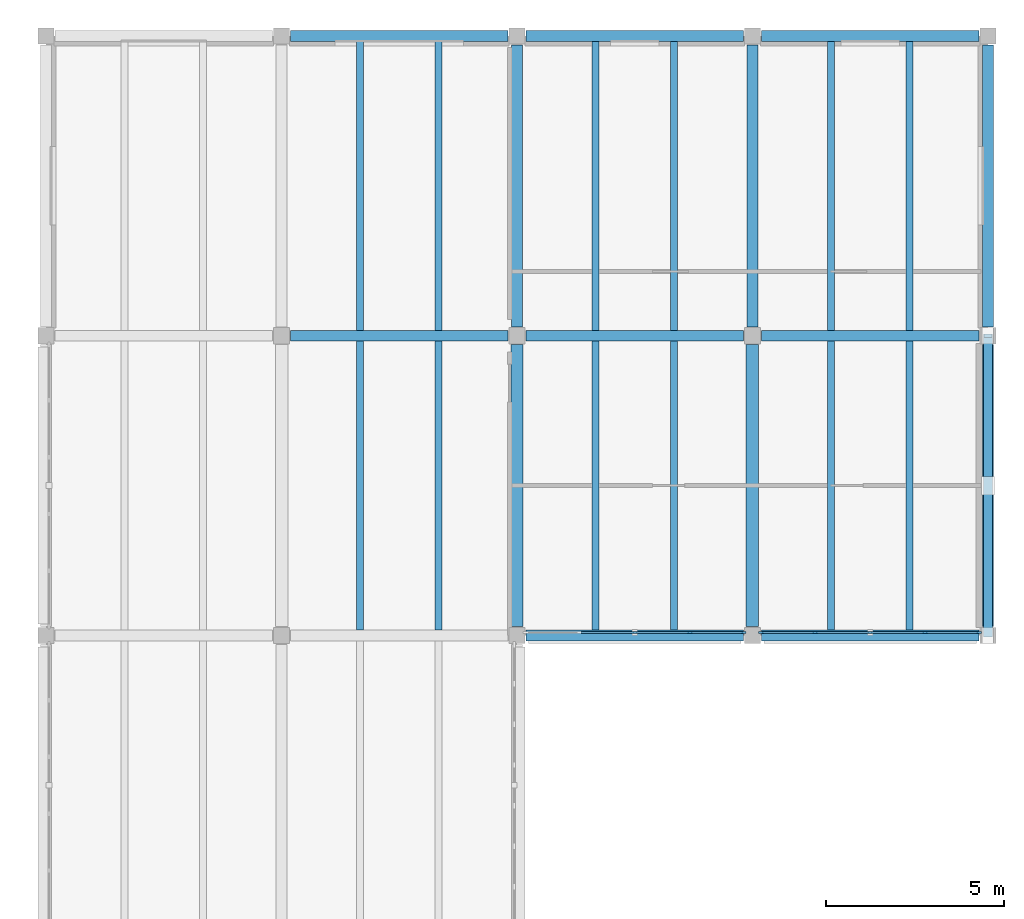
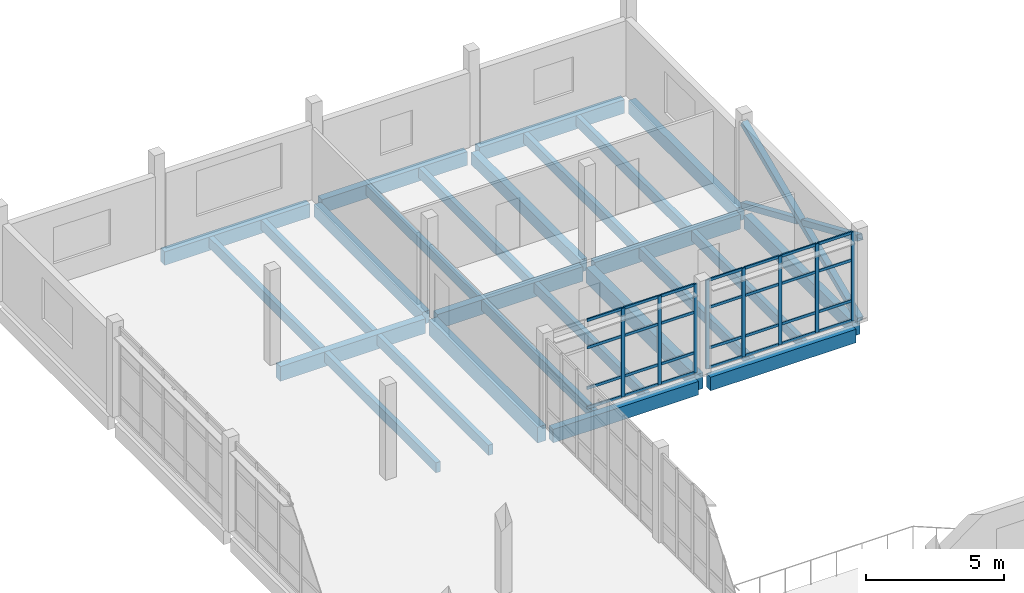
# One storey, part 32 of 74: 39 members, 26 beams, 2 elements without a shape of their own.
"""IFC4 building model written with IfcOpenShell, lengths in metres."""

from ifc_helpers import new_model, si_unit, direction, frame, origin, origin_2d, place, context, subcontext, project, spatial, rectangle, hollow_rectangle, extrude, material, material_profile, profile_set, type_object, element, aggregate, save


model = new_model("IFC4")

# Units and contexts
model_context = context("Model", 3, precision=1e-05, world=origin(), true_north=direction((0.0, 1.0)))
body_context = subcontext(model_context, "Body", "Model", "MODEL_VIEW")
ifc_project = project(units=[si_unit("LENGTHUNIT", "METRE"), si_unit("AREAUNIT", "SQUARE_METRE"), si_unit("VOLUMEUNIT", "CUBIC_METRE"), si_unit("PLANEANGLEUNIT", "RADIAN"), si_unit("MASSUNIT", "GRAM", prefix="KILO")], contexts=[model_context])

# Site, building, storey
site_placement = place(None, origin())
site = spatial("IfcSite", under=ifc_project, at=site_placement, CompositionType="ELEMENT")
building_placement = place(site_placement, origin())
building = spatial("IfcBuilding", under=site, at=building_placement, Name="Qaldarim Faculty of Natural and Applied Sciences", CompositionType="ELEMENT")
storey_placement = place(building_placement, frame((0.0, 0.0, 14.39990234375)))
storey = spatial("IfcBuildingStorey", under=building, at=storey_placement, Name="L03", CompositionType="ELEMENT", Elevation=14.39990234375)

# Beams
ifc_material_1 = material(Name="Concrete C40/50", Category="concrete")
ifc_material_profile_1 = material_profile(ifc_material_1, rectangle(XDim=0.300048828125, YDim=0.550048828125, at=origin_2d()), Name="RC-B300x550")
ifc_profile_set_1 = profile_set([ifc_material_profile_1], Name="Concrete C40/50")
beam_type_1 = type_object("IfcBeamType", Name="FloorBeam-RC300x550", PredefinedType="BEAM", material=ifc_profile_set_1)
for number, where, z_axis, x_axis, name in (
    (1, (165.0, 109.449951171875, -0.534912109375), (0.0, 1.0, 0.0), (-1.0, 0.0, 0.0), "Beam RC-B300x550 L02 X26/Y14-Y15"),
    (2, (171.60009765625, 109.449951171875, -0.534912109375), (0.0, 1.0, 0.0), (-1.0, 0.0, 0.0), "Beam RC-B300x550 L02 X27/Y14-Y15"),
):
    element("IfcBeam", number, at=place(storey_placement, frame(where, z_axis=z_axis, x_axis=x_axis)), inside=storey, type_object=beam_type_1, Name=name, PredefinedType="BEAM", context=body_context, shape_type="SweptSolid", body=[
        extrude(rectangle(XDim=0.300048828125, YDim=0.550048828125, at=origin_2d()), origin(), (0.0, 0.0, 1.0), 7.900146484375),
    ])
ifc_material_profile_2 = material_profile(ifc_material_1, rectangle(XDim=0.199951171875, YDim=0.449951171875, at=origin_2d()), Name="RC-J200x450")
ifc_profile_set_2 = profile_set([ifc_material_profile_2], Name="Concrete C40/50")
beam_type_2 = type_object("IfcBeamType", Name="LabJoist-RC200x450", PredefinedType="JOIST", material=ifc_profile_set_2)
for number, where, z_axis, x_axis, name in (
    (3, (160.60009765625, 100.949951171875, -0.48486328125), (0.0, 1.0, 0.0), (-1.0, 0.0, 0.0), "Laboratory joist L02 bay X25Y13-1"),
    (4, (162.800048828125, 100.949951171875, -0.48486328125), (0.0, 1.0, 0.0), (-1.0, 0.0, 0.0), "Laboratory joist L02 bay X25Y13-2"),
):
    element("IfcBeam", number, at=place(storey_placement, frame(where, z_axis=z_axis, x_axis=x_axis)), inside=storey, type_object=beam_type_2, Name=name, PredefinedType="JOIST", context=body_context, shape_type="SweptSolid", body=[
        extrude(rectangle(XDim=0.199951171875, YDim=0.449951171875, at=origin_2d()), origin(), (0.0, 0.0, 1.0), 8.10009765625),
    ])
for number, where, z_axis, x_axis, name in (
    (5, (160.60009765625, 109.35009765625, -0.48486328125), (0.0, 1.0, 0.0), (-1.0, 0.0, 0.0), "Laboratory joist L02 bay X25Y14-1"),
    (6, (162.800048828125, 109.35009765625, -0.48486328125), (0.0, 1.0, 0.0), (-1.0, 0.0, 0.0), "Laboratory joist L02 bay X25Y14-2"),
):
    element("IfcBeam", number, at=place(storey_placement, frame(where, z_axis=z_axis, x_axis=x_axis)), inside=storey, type_object=beam_type_2, Name=name, PredefinedType="JOIST", context=body_context, shape_type="SweptSolid", body=[
        extrude(rectangle(XDim=0.199951171875, YDim=0.449951171875, at=origin_2d()), origin(), (0.0, 0.0, 1.0), 8.099853515625),
    ])
for number, where, z_axis, x_axis, name in (
    (7, (167.199951171875, 100.949951171875, -0.48486328125), (0.0, 1.0, 0.0), (-1.0, 0.0, 0.0), "Laboratory joist L02 bay X26Y13-1"),
    (8, (169.39990234375, 100.949951171875, -0.48486328125), (0.0, 1.0, 0.0), (-1.0, 0.0, 0.0), "Laboratory joist L02 bay X26Y13-2"),
):
    element("IfcBeam", number, at=place(storey_placement, frame(where, z_axis=z_axis, x_axis=x_axis)), inside=storey, type_object=beam_type_2, Name=name, PredefinedType="JOIST", context=body_context, shape_type="SweptSolid", body=[
        extrude(rectangle(XDim=0.199951171875, YDim=0.449951171875, at=origin_2d()), origin(), (0.0, 0.0, 1.0), 8.10009765625),
    ])
for number, where, z_axis, x_axis, name in (
    (9, (167.199951171875, 109.35009765625, -0.48486328125), (0.0, 1.0, 0.0), (-1.0, 0.0, 0.0), "Laboratory joist L02 bay X26Y14-1"),
    (10, (169.39990234375, 109.35009765625, -0.48486328125), (0.0, 1.0, 0.0), (-1.0, 0.0, 0.0), "Laboratory joist L02 bay X26Y14-2"),
):
    element("IfcBeam", number, at=place(storey_placement, frame(where, z_axis=z_axis, x_axis=x_axis)), inside=storey, type_object=beam_type_2, Name=name, PredefinedType="JOIST", context=body_context, shape_type="SweptSolid", body=[
        extrude(rectangle(XDim=0.199951171875, YDim=0.449951171875, at=origin_2d()), origin(), (0.0, 0.0, 1.0), 8.099853515625),
    ])
for number, where, z_axis, x_axis, name in (
    (11, (173.800048828125, 100.949951171875, -0.48486328125), (0.0, 1.0, 0.0), (-1.0, 0.0, 0.0), "Laboratory joist L02 bay X27Y13-1"),
    (12, (176.0, 100.949951171875, -0.48486328125), (0.0, 1.0, 0.0), (-1.0, 0.0, 0.0), "Laboratory joist L02 bay X27Y13-2"),
):
    element("IfcBeam", number, at=place(storey_placement, frame(where, z_axis=z_axis, x_axis=x_axis)), inside=storey, type_object=beam_type_2, Name=name, PredefinedType="JOIST", context=body_context, shape_type="SweptSolid", body=[
        extrude(rectangle(XDim=0.199951171875, YDim=0.449951171875, at=origin_2d()), origin(), (0.0, 0.0, 1.0), 8.10009765625),
    ])
for number, where, z_axis, x_axis, name in (
    (13, (173.800048828125, 109.35009765625, -0.48486328125), (0.0, 1.0, 0.0), (-1.0, 0.0, 0.0), "Laboratory joist L02 bay X27Y14-1"),
    (14, (176.0, 109.35009765625, -0.48486328125), (0.0, 1.0, 0.0), (-1.0, 0.0, 0.0), "Laboratory joist L02 bay X27Y14-2"),
):
    element("IfcBeam", number, at=place(storey_placement, frame(where, z_axis=z_axis, x_axis=x_axis)), inside=storey, type_object=beam_type_2, Name=name, PredefinedType="JOIST", context=body_context, shape_type="SweptSolid", body=[
        extrude(rectangle(XDim=0.199951171875, YDim=0.449951171875, at=origin_2d()), origin(), (0.0, 0.0, 1.0), 8.099853515625),
    ])

# Members
ifc_material_2 = material(Name="Structural steel S355", Category="steel")
ifc_material_profile_3 = material_profile(ifc_material_2, hollow_rectangle(XDim=0.25, YDim=0.25, WallThickness=0.01611328125, at=origin_2d()), Name="SHS 250x250x16.0")
ifc_profile_set_3 = profile_set([ifc_material_profile_3], Name="Structural steel S355")
member_type_1 = type_object("IfcMemberType", Name="MidWingBrace-SHS250x16", PredefinedType="BRACE", material=ifc_profile_set_3)
member_1_placement = place(storey_placement, frame((178.199951171875, 100.800048828125, 0.0), z_axis=(0.0, 0.91754849034, 0.397623902545), x_axis=(-1.0, 0.0, 0.0)))
element("IfcMember", 15, at=member_1_placement, inside=storey, type_object=member_type_1, Name="Commons east diagrid L03 primary brace L", PredefinedType="BRACE", context=body_context, shape_type="SweptSolid", body=[
    extrude(hollow_rectangle(XDim=0.25, YDim=0.25, WallThickness=0.01611328125, at=origin_2d()), origin(), (0.0, 0.0, 1.0), 9.15478515625),
])
for number, where, z_axis, x_axis, name in (
    (16, (178.199951171875, 109.199951171875, 0.0), (0.0, -0.917407116796, 0.397949974308), (1.0, 0.0, 0.0), "Commons east diagrid L03 split secondary lower brace R1"),
    (17, (178.199951171875, 104.800048828125, 1.905029296875), (0.0, -0.917407116796, 0.397949974308), (1.0, 0.0, 0.0), "Commons east diagrid L03 split secondary upper brace R2"),
):
    element("IfcMember", number, at=place(storey_placement, frame(where, z_axis=z_axis, x_axis=x_axis)), inside=storey, type_object=member_type_1, Name=name, PredefinedType="BRACE", context=body_context, shape_type="SweptSolid", body=[
        extrude(hollow_rectangle(XDim=0.25, YDim=0.25, WallThickness=0.01611328125, at=origin_2d()), origin(), (0.0, 0.0, 1.0), 4.360107421875),
    ])

# Curtain wall, members
ifc_material_3 = material(Name="Anodised aluminium AW-6063", Category="aluminium")
curtain_wall_type = type_object("IfcCurtainWallType", Name="CurtainWallSystem-M1600", PredefinedType="USERDEFINED", material=ifc_material_3)
curtain_wall_1_placement = place(storey_placement, origin())
curtain_wall_1 = element("IfcCurtainWall", 18, at=curtain_wall_1_placement, inside=storey, type_object=curtain_wall_type, Name="Curtain wall CW-L03-S-X26Y13", ObjectType="UNITISED FACADE", PredefinedType="USERDEFINED")
ifc_material_profile_4 = material_profile(ifc_material_3, rectangle(XDim=0.06005859375, YDim=0.14990234375, at=origin_2d()), Name="ALU-M60x150")
ifc_profile_set_4 = profile_set([ifc_material_profile_4], Name="Anodised aluminium AW-6063")
member_type_2 = type_object("IfcMemberType", Name="Mullion-ALU60x150", PredefinedType="MULLION", material=ifc_profile_set_4)
member_2_placement = place(storey_placement, frame((168.300048828125, 100.8798828125, 0.0), z_axis=(0.0, 0.0, 1.0), x_axis=(0.0, 1.0, 0.0)))
member_2 = element("IfcMember", 19, at=member_2_placement, type_object=member_type_2, Name="Mullion 3 of CW-L03-S-X26Y13", PredefinedType="MULLION", context=body_context, shape_type="SweptSolid", body=[
    extrude(rectangle(XDim=0.06005859375, YDim=0.14990234375, at=origin_2d()), origin(), (0.0, 0.0, 1.0), 3.940185546875),
])
member_3_placement = place(storey_placement, frame((169.840087890625, 100.8798828125, 0.0), z_axis=(0.0, 0.0, 1.0), x_axis=(0.0, 1.0, 0.0)))
member_3 = element("IfcMember", 20, at=member_3_placement, type_object=member_type_2, Name="Mullion 4 of CW-L03-S-X26Y13", PredefinedType="MULLION", context=body_context, shape_type="SweptSolid", body=[
    extrude(rectangle(XDim=0.06005859375, YDim=0.14990234375, at=origin_2d()), origin(), (0.0, 0.0, 1.0), 3.940185546875),
])
member_4_placement = place(storey_placement, frame((171.35009765625, 100.8798828125, 0.0), z_axis=(0.0, 0.0, 1.0), x_axis=(0.0, 1.0, 0.0)))
member_4 = element("IfcMember", 21, at=member_4_placement, type_object=member_type_2, Name="Mullion 5 of CW-L03-S-X26Y13", PredefinedType="MULLION", context=body_context, shape_type="SweptSolid", body=[
    extrude(rectangle(XDim=0.06005859375, YDim=0.14990234375, at=origin_2d()), origin(), (0.0, 0.0, 1.0), 3.940185546875),
])

curtain_wall_2_placement = place(storey_placement, origin())
curtain_wall_2 = element("IfcCurtainWall", 22, at=curtain_wall_2_placement, inside=storey, type_object=curtain_wall_type, Name="Curtain wall CW-L03-S-X27Y13", ObjectType="UNITISED FACADE", PredefinedType="USERDEFINED")
member_5_placement = place(storey_placement, frame((171.85009765625, 100.8798828125, 0.0), z_axis=(0.0, 0.0, 1.0), x_axis=(0.0, 1.0, 0.0)))
member_5 = element("IfcMember", 23, at=member_5_placement, type_object=member_type_2, Name="Mullion 1 of CW-L03-S-X27Y13", PredefinedType="MULLION", context=body_context, shape_type="SweptSolid", body=[
    extrude(rectangle(XDim=0.06005859375, YDim=0.14990234375, at=origin_2d()), origin(), (0.0, 0.0, 1.0), 3.940185546875),
])
member_6_placement = place(storey_placement, frame((173.360107421875, 100.8798828125, 0.0), z_axis=(0.0, 0.0, 1.0), x_axis=(0.0, 1.0, 0.0)))
member_6 = element("IfcMember", 24, at=member_6_placement, type_object=member_type_2, Name="Mullion 2 of CW-L03-S-X27Y13", PredefinedType="MULLION", context=body_context, shape_type="SweptSolid", body=[
    extrude(rectangle(XDim=0.06005859375, YDim=0.14990234375, at=origin_2d()), origin(), (0.0, 0.0, 1.0), 3.940185546875),
])
member_7_placement = place(storey_placement, frame((174.89990234375, 100.8798828125, 0.0), z_axis=(0.0, 0.0, 1.0), x_axis=(0.0, 1.0, 0.0)))
member_7 = element("IfcMember", 25, at=member_7_placement, type_object=member_type_2, Name="Mullion 3 of CW-L03-S-X27Y13", PredefinedType="MULLION", context=body_context, shape_type="SweptSolid", body=[
    extrude(rectangle(XDim=0.06005859375, YDim=0.14990234375, at=origin_2d()), origin(), (0.0, 0.0, 1.0), 3.940185546875),
])
member_8_placement = place(storey_placement, frame((176.43994140625, 100.8798828125, 0.0), z_axis=(0.0, 0.0, 1.0), x_axis=(0.0, 1.0, 0.0)))
member_8 = element("IfcMember", 26, at=member_8_placement, type_object=member_type_2, Name="Mullion 4 of CW-L03-S-X27Y13", PredefinedType="MULLION", context=body_context, shape_type="SweptSolid", body=[
    extrude(rectangle(XDim=0.06005859375, YDim=0.14990234375, at=origin_2d()), origin(), (0.0, 0.0, 1.0), 3.940185546875),
])
member_9_placement = place(storey_placement, frame((177.949951171875, 100.8798828125, 0.0), z_axis=(0.0, 0.0, 1.0), x_axis=(0.0, 1.0, 0.0)))
member_9 = element("IfcMember", 27, at=member_9_placement, type_object=member_type_2, Name="Mullion 5 of CW-L03-S-X27Y13", PredefinedType="MULLION", context=body_context, shape_type="SweptSolid", body=[
    extrude(rectangle(XDim=0.06005859375, YDim=0.14990234375, at=origin_2d()), origin(), (0.0, 0.0, 1.0), 3.940185546875),
])

# Beams
ifc_material_profile_5 = material_profile(ifc_material_1, rectangle(XDim=0.300048828125, YDim=0.64990234375, at=origin_2d()), Name="RC-B300x650")
ifc_profile_set_5 = profile_set([ifc_material_profile_5], Name="Concrete C40/50")
beam_type_3 = type_object("IfcBeamType", Name="PrimaryBeam-RC300x650", PredefinedType="BEAM", material=ifc_profile_set_5)
for number, where, z_axis, x_axis, name in (
    (28, (158.64990234375, 109.199951171875, -0.5849609375), (1.0, 0.0, 0.0), (0.0, 1.0, 0.0), "Beam RC-B300x650 L02 X25-X26/Y14"),
    (29, (165.25, 109.199951171875, -0.5849609375), (1.0, 0.0, 0.0), (0.0, 1.0, 0.0), "Beam RC-B300x650 L02 X26-X27/Y14"),
):
    element("IfcBeam", number, at=place(storey_placement, frame(where, z_axis=z_axis, x_axis=x_axis)), inside=storey, type_object=beam_type_3, Name=name, PredefinedType="BEAM", context=body_context, shape_type="SweptSolid", body=[
        extrude(rectangle(XDim=0.300048828125, YDim=0.64990234375, at=origin_2d()), origin(), (0.0, 0.0, 1.0), 6.10009765625),
    ])
beam_1_placement = place(storey_placement, frame((171.85009765625, 109.199951171875, -0.5849609375), z_axis=(1.0, 0.0, 0.0), x_axis=(0.0, 1.0, 0.0)))
element("IfcBeam", 30, at=beam_1_placement, inside=storey, type_object=beam_type_3, Name="Beam RC-B300x650 L02 X27-X28/Y14", PredefinedType="BEAM", context=body_context, shape_type="SweptSolid", body=[
    extrude(rectangle(XDim=0.300048828125, YDim=0.64990234375, at=origin_2d()), origin(), (0.0, 0.0, 1.0), 6.099853515625),
])
ifc_material_profile_6 = material_profile(ifc_material_1, rectangle(XDim=0.35009765625, YDim=0.699951171875, at=origin_2d()), Name="RC-B350x700")
ifc_profile_set_6 = profile_set([ifc_material_profile_6], Name="Concrete C40/50")
beam_type_4 = type_object("IfcBeamType", Name="PrimaryGirder-RC350x700", PredefinedType="BEAM", material=ifc_profile_set_6)
for number, where, z_axis, x_axis, name in (
    (31, (165.0, 101.050048828125, -0.60986328125), (0.0, 1.0, 0.0), (-1.0, 0.0, 0.0), "Beam RC-B350x700 L02 X26/Y13-Y14"),
    (32, (171.60009765625, 101.050048828125, -0.60986328125), (0.0, 1.0, 0.0), (-1.0, 0.0, 0.0), "Beam RC-B350x700 L02 X27/Y13-Y14"),
):
    element("IfcBeam", number, at=place(storey_placement, frame(where, z_axis=z_axis, x_axis=x_axis)), inside=storey, type_object=beam_type_4, Name=name, PredefinedType="BEAM", context=body_context, shape_type="SweptSolid", body=[
        extrude(rectangle(XDim=0.35009765625, YDim=0.699951171875, at=origin_2d()), origin(), (0.0, 0.0, 1.0), 7.89990234375),
    ])
ifc_material_4 = material(Name="Precast concrete C40/50", Category="concrete")
ifc_material_profile_7 = material_profile(ifc_material_4, rectangle(XDim=0.300048828125, YDim=0.60009765625, at=origin_2d()), Name="RC-SP300x600")
ifc_profile_set_7 = profile_set([ifc_material_profile_7], Name="Precast concrete C40/50")
beam_type_5 = type_object("IfcBeamType", Name="SpandrelBeam-RC300x600", PredefinedType="SPANDREL", material=ifc_profile_set_7)
beam_2_placement = place(storey_placement, frame((165.25, 100.800048828125, -0.559814453125), z_axis=(1.0, 0.0, 0.0), x_axis=(0.0, 1.0, 0.0)))
element("IfcBeam", 33, at=beam_2_placement, inside=storey, type_object=beam_type_5, Name="Beam RC-SP300x600 L02 X26-X27/Y13", PredefinedType="SPANDREL", context=body_context, shape_type="SweptSolid", body=[
    extrude(rectangle(XDim=0.300048828125, YDim=0.60009765625, at=origin_2d()), origin(), (0.0, 0.0, 1.0), 6.10009765625),
])
beam_3_placement = place(storey_placement, frame((171.85009765625, 100.800048828125, -0.559814453125), z_axis=(1.0, 0.0, 0.0), x_axis=(0.0, 1.0, 0.0)))
element("IfcBeam", 34, at=beam_3_placement, inside=storey, type_object=beam_type_5, Name="Beam RC-SP300x600 L02 X27-X28/Y13", PredefinedType="SPANDREL", context=body_context, shape_type="SweptSolid", body=[
    extrude(rectangle(XDim=0.300048828125, YDim=0.60009765625, at=origin_2d()), origin(), (0.0, 0.0, 1.0), 6.099853515625),
])
for number, where, z_axis, x_axis, name in (
    (35, (158.64990234375, 117.60009765625, -0.559814453125), (1.0, 0.0, 0.0), (0.0, 1.0, 0.0), "Beam RC-SP300x600 L02 X25-X26/Y15"),
    (36, (165.25, 117.60009765625, -0.559814453125), (1.0, 0.0, 0.0), (0.0, 1.0, 0.0), "Beam RC-SP300x600 L02 X26-X27/Y15"),
):
    element("IfcBeam", number, at=place(storey_placement, frame(where, z_axis=z_axis, x_axis=x_axis)), inside=storey, type_object=beam_type_5, Name=name, PredefinedType="SPANDREL", context=body_context, shape_type="SweptSolid", body=[
        extrude(rectangle(XDim=0.300048828125, YDim=0.60009765625, at=origin_2d()), origin(), (0.0, 0.0, 1.0), 6.10009765625),
    ])
beam_4_placement = place(storey_placement, frame((171.85009765625, 117.60009765625, -0.559814453125), z_axis=(1.0, 0.0, 0.0), x_axis=(0.0, 1.0, 0.0)))
element("IfcBeam", 37, at=beam_4_placement, inside=storey, type_object=beam_type_5, Name="Beam RC-SP300x600 L02 X27-X28/Y15", PredefinedType="SPANDREL", context=body_context, shape_type="SweptSolid", body=[
    extrude(rectangle(XDim=0.300048828125, YDim=0.60009765625, at=origin_2d()), origin(), (0.0, 0.0, 1.0), 6.099853515625),
])
beam_5_placement = place(storey_placement, frame((178.199951171875, 101.050048828125, -0.559814453125), z_axis=(0.0, 1.0, 0.0), x_axis=(-1.0, 0.0, 0.0)))
element("IfcBeam", 38, at=beam_5_placement, inside=storey, type_object=beam_type_5, Name="Beam RC-SP300x600 L02 X28/Y13-Y14", PredefinedType="SPANDREL", context=body_context, shape_type="SweptSolid", body=[
    extrude(rectangle(XDim=0.300048828125, YDim=0.60009765625, at=origin_2d()), origin(), (0.0, 0.0, 1.0), 7.89990234375),
])
beam_6_placement = place(storey_placement, frame((178.199951171875, 109.449951171875, -0.559814453125), z_axis=(0.0, 1.0, 0.0), x_axis=(-1.0, 0.0, 0.0)))
element("IfcBeam", 39, at=beam_6_placement, inside=storey, type_object=beam_type_5, Name="Beam RC-SP300x600 L02 X28/Y14-Y15", PredefinedType="SPANDREL", context=body_context, shape_type="SweptSolid", body=[
    extrude(rectangle(XDim=0.300048828125, YDim=0.60009765625, at=origin_2d()), origin(), (0.0, 0.0, 1.0), 7.900146484375),
])

# Member
ifc_material_profile_8 = material_profile(ifc_material_3, rectangle(XDim=0.06005859375, YDim=0.1201171875, at=origin_2d()), Name="ALU-T60x120")
ifc_profile_set_8 = profile_set([ifc_material_profile_8], Name="Anodised aluminium AW-6063")
member_type_3 = type_object("IfcMemberType", Name="Transom-ALU60x120", PredefinedType="USERDEFINED", material=ifc_profile_set_8)
member_10_placement = place(storey_placement, frame((166.7900390625, 100.8798828125, 0.030029296875), z_axis=(1.0, 0.0, 0.0), x_axis=(0.0, 1.0, 0.0)))
member_10 = element("IfcMember", 40, at=member_10_placement, type_object=member_type_3, Name="Transom 2-1 of CW-L03-S-X26Y13", ObjectType="TRANSOM", PredefinedType="USERDEFINED", context=body_context, shape_type="SweptSolid", body=[
    extrude(rectangle(XDim=0.06005859375, YDim=0.1201171875, at=origin_2d()), origin(), (0.0, 0.0, 1.0), 1.47998046875),
])

member_11_placement = place(storey_placement, frame((166.7900390625, 100.8798828125, 0.900146484375), z_axis=(1.0, 0.0, 0.0), x_axis=(0.0, 1.0, 0.0)))
member_11 = element("IfcMember", 41, at=member_11_placement, type_object=member_type_3, Name="Transom 2-2 of CW-L03-S-X26Y13", ObjectType="TRANSOM", PredefinedType="USERDEFINED", context=body_context, shape_type="SweptSolid", body=[
    extrude(rectangle(XDim=0.06005859375, YDim=0.1201171875, at=origin_2d()), origin(), (0.0, 0.0, 1.0), 1.47998046875),
])

member_12_placement = place(storey_placement, frame((166.7900390625, 100.8798828125, 2.7001953125), z_axis=(1.0, 0.0, 0.0), x_axis=(0.0, 1.0, 0.0)))
member_12 = element("IfcMember", 42, at=member_12_placement, type_object=member_type_3, Name="Transom 2-3 of CW-L03-S-X26Y13", ObjectType="TRANSOM", PredefinedType="USERDEFINED", context=body_context, shape_type="SweptSolid", body=[
    extrude(rectangle(XDim=0.06005859375, YDim=0.1201171875, at=origin_2d()), origin(), (0.0, 0.0, 1.0), 1.47998046875),
])

member_13_placement = place(storey_placement, frame((166.7900390625, 100.8798828125, 3.91015625), z_axis=(1.0, 0.0, 0.0), x_axis=(0.0, 1.0, 0.0)))
member_13 = element("IfcMember", 43, at=member_13_placement, type_object=member_type_3, Name="Transom 2-4 of CW-L03-S-X26Y13", ObjectType="TRANSOM", PredefinedType="USERDEFINED", context=body_context, shape_type="SweptSolid", body=[
    extrude(rectangle(XDim=0.06005859375, YDim=0.1201171875, at=origin_2d()), origin(), (0.0, 0.0, 1.0), 1.47998046875),
])

member_14_placement = place(storey_placement, frame((168.330078125, 100.8798828125, 0.030029296875), z_axis=(1.0, 0.0, 0.0), x_axis=(0.0, 1.0, 0.0)))
member_14 = element("IfcMember", 44, at=member_14_placement, type_object=member_type_3, Name="Transom 3-1 of CW-L03-S-X26Y13", ObjectType="TRANSOM", PredefinedType="USERDEFINED", context=body_context, shape_type="SweptSolid", body=[
    extrude(rectangle(XDim=0.06005859375, YDim=0.1201171875, at=origin_2d()), origin(), (0.0, 0.0, 1.0), 1.47998046875),
])

member_15_placement = place(storey_placement, frame((168.330078125, 100.8798828125, 0.900146484375), z_axis=(1.0, 0.0, 0.0), x_axis=(0.0, 1.0, 0.0)))
member_15 = element("IfcMember", 45, at=member_15_placement, type_object=member_type_3, Name="Transom 3-2 of CW-L03-S-X26Y13", ObjectType="TRANSOM", PredefinedType="USERDEFINED", context=body_context, shape_type="SweptSolid", body=[
    extrude(rectangle(XDim=0.06005859375, YDim=0.1201171875, at=origin_2d()), origin(), (0.0, 0.0, 1.0), 1.47998046875),
])

member_16_placement = place(storey_placement, frame((168.330078125, 100.8798828125, 2.7001953125), z_axis=(1.0, 0.0, 0.0), x_axis=(0.0, 1.0, 0.0)))
member_16 = element("IfcMember", 46, at=member_16_placement, type_object=member_type_3, Name="Transom 3-3 of CW-L03-S-X26Y13", ObjectType="TRANSOM", PredefinedType="USERDEFINED", context=body_context, shape_type="SweptSolid", body=[
    extrude(rectangle(XDim=0.06005859375, YDim=0.1201171875, at=origin_2d()), origin(), (0.0, 0.0, 1.0), 1.47998046875),
])

member_17_placement = place(storey_placement, frame((168.330078125, 100.8798828125, 3.91015625), z_axis=(1.0, 0.0, 0.0), x_axis=(0.0, 1.0, 0.0)))
member_17 = element("IfcMember", 47, at=member_17_placement, type_object=member_type_3, Name="Transom 3-4 of CW-L03-S-X26Y13", ObjectType="TRANSOM", PredefinedType="USERDEFINED", context=body_context, shape_type="SweptSolid", body=[
    extrude(rectangle(XDim=0.06005859375, YDim=0.1201171875, at=origin_2d()), origin(), (0.0, 0.0, 1.0), 1.47998046875),
])

member_18_placement = place(storey_placement, frame((169.8701171875, 100.8798828125, 0.030029296875), z_axis=(1.0, 0.0, 0.0), x_axis=(0.0, 1.0, 0.0)))
member_18 = element("IfcMember", 48, at=member_18_placement, type_object=member_type_3, Name="Transom 4-1 of CW-L03-S-X26Y13", ObjectType="TRANSOM", PredefinedType="USERDEFINED", context=body_context, shape_type="SweptSolid", body=[
    extrude(rectangle(XDim=0.06005859375, YDim=0.1201171875, at=origin_2d()), origin(), (0.0, 0.0, 1.0), 1.449951171875),
])

member_19_placement = place(storey_placement, frame((169.8701171875, 100.8798828125, 0.900146484375), z_axis=(1.0, 0.0, 0.0), x_axis=(0.0, 1.0, 0.0)))
member_19 = element("IfcMember", 49, at=member_19_placement, type_object=member_type_3, Name="Transom 4-2 of CW-L03-S-X26Y13", ObjectType="TRANSOM", PredefinedType="USERDEFINED", context=body_context, shape_type="SweptSolid", body=[
    extrude(rectangle(XDim=0.06005859375, YDim=0.1201171875, at=origin_2d()), origin(), (0.0, 0.0, 1.0), 1.449951171875),
])

member_20_placement = place(storey_placement, frame((169.8701171875, 100.8798828125, 2.7001953125), z_axis=(1.0, 0.0, 0.0), x_axis=(0.0, 1.0, 0.0)))
member_20 = element("IfcMember", 50, at=member_20_placement, type_object=member_type_3, Name="Transom 4-3 of CW-L03-S-X26Y13", ObjectType="TRANSOM", PredefinedType="USERDEFINED", context=body_context, shape_type="SweptSolid", body=[
    extrude(rectangle(XDim=0.06005859375, YDim=0.1201171875, at=origin_2d()), origin(), (0.0, 0.0, 1.0), 1.449951171875),
])

member_21_placement = place(storey_placement, frame((169.8701171875, 100.8798828125, 3.91015625), z_axis=(1.0, 0.0, 0.0), x_axis=(0.0, 1.0, 0.0)))
member_21 = element("IfcMember", 51, at=member_21_placement, type_object=member_type_3, Name="Transom 4-4 of CW-L03-S-X26Y13", ObjectType="TRANSOM", PredefinedType="USERDEFINED", context=body_context, shape_type="SweptSolid", body=[
    extrude(rectangle(XDim=0.06005859375, YDim=0.1201171875, at=origin_2d()), origin(), (0.0, 0.0, 1.0), 1.449951171875),
])

aggregate(curtain_wall_1, [member_2, member_3, member_4, member_10, member_11, member_12, member_13, member_14, member_15, member_16, member_17, member_18, member_19, member_20, member_21])

member_22_placement = place(storey_placement, frame((171.8798828125, 100.8798828125, 0.030029296875), z_axis=(1.0, 0.0, 0.0), x_axis=(0.0, 1.0, 0.0)))
member_22 = element("IfcMember", 52, at=member_22_placement, type_object=member_type_3, Name="Transom 1-1 of CW-L03-S-X27Y13", ObjectType="TRANSOM", PredefinedType="USERDEFINED", context=body_context, shape_type="SweptSolid", body=[
    extrude(rectangle(XDim=0.06005859375, YDim=0.1201171875, at=origin_2d()), origin(), (0.0, 0.0, 1.0), 1.4501953125),
])

member_23_placement = place(storey_placement, frame((171.8798828125, 100.8798828125, 0.900146484375), z_axis=(1.0, 0.0, 0.0), x_axis=(0.0, 1.0, 0.0)))
member_23 = element("IfcMember", 53, at=member_23_placement, type_object=member_type_3, Name="Transom 1-2 of CW-L03-S-X27Y13", ObjectType="TRANSOM", PredefinedType="USERDEFINED", context=body_context, shape_type="SweptSolid", body=[
    extrude(rectangle(XDim=0.06005859375, YDim=0.1201171875, at=origin_2d()), origin(), (0.0, 0.0, 1.0), 1.4501953125),
])

member_24_placement = place(storey_placement, frame((171.8798828125, 100.8798828125, 2.7001953125), z_axis=(1.0, 0.0, 0.0), x_axis=(0.0, 1.0, 0.0)))
member_24 = element("IfcMember", 54, at=member_24_placement, type_object=member_type_3, Name="Transom 1-3 of CW-L03-S-X27Y13", ObjectType="TRANSOM", PredefinedType="USERDEFINED", context=body_context, shape_type="SweptSolid", body=[
    extrude(rectangle(XDim=0.06005859375, YDim=0.1201171875, at=origin_2d()), origin(), (0.0, 0.0, 1.0), 1.4501953125),
])

member_25_placement = place(storey_placement, frame((171.8798828125, 100.8798828125, 3.91015625), z_axis=(1.0, 0.0, 0.0), x_axis=(0.0, 1.0, 0.0)))
member_25 = element("IfcMember", 55, at=member_25_placement, type_object=member_type_3, Name="Transom 1-4 of CW-L03-S-X27Y13", ObjectType="TRANSOM", PredefinedType="USERDEFINED", context=body_context, shape_type="SweptSolid", body=[
    extrude(rectangle(XDim=0.06005859375, YDim=0.1201171875, at=origin_2d()), origin(), (0.0, 0.0, 1.0), 1.4501953125),
])

member_26_placement = place(storey_placement, frame((173.389892578125, 100.8798828125, 0.030029296875), z_axis=(1.0, 0.0, 0.0), x_axis=(0.0, 1.0, 0.0)))
member_26 = element("IfcMember", 56, at=member_26_placement, type_object=member_type_3, Name="Transom 2-1 of CW-L03-S-X27Y13", ObjectType="TRANSOM", PredefinedType="USERDEFINED", context=body_context, shape_type="SweptSolid", body=[
    extrude(rectangle(XDim=0.06005859375, YDim=0.1201171875, at=origin_2d()), origin(), (0.0, 0.0, 1.0), 1.480224609375),
])

member_27_placement = place(storey_placement, frame((173.389892578125, 100.8798828125, 0.900146484375), z_axis=(1.0, 0.0, 0.0), x_axis=(0.0, 1.0, 0.0)))
member_27 = element("IfcMember", 57, at=member_27_placement, type_object=member_type_3, Name="Transom 2-2 of CW-L03-S-X27Y13", ObjectType="TRANSOM", PredefinedType="USERDEFINED", context=body_context, shape_type="SweptSolid", body=[
    extrude(rectangle(XDim=0.06005859375, YDim=0.1201171875, at=origin_2d()), origin(), (0.0, 0.0, 1.0), 1.480224609375),
])

member_28_placement = place(storey_placement, frame((173.389892578125, 100.8798828125, 2.7001953125), z_axis=(1.0, 0.0, 0.0), x_axis=(0.0, 1.0, 0.0)))
member_28 = element("IfcMember", 58, at=member_28_placement, type_object=member_type_3, Name="Transom 2-3 of CW-L03-S-X27Y13", ObjectType="TRANSOM", PredefinedType="USERDEFINED", context=body_context, shape_type="SweptSolid", body=[
    extrude(rectangle(XDim=0.06005859375, YDim=0.1201171875, at=origin_2d()), origin(), (0.0, 0.0, 1.0), 1.480224609375),
])

member_29_placement = place(storey_placement, frame((173.389892578125, 100.8798828125, 3.91015625), z_axis=(1.0, 0.0, 0.0), x_axis=(0.0, 1.0, 0.0)))
member_29 = element("IfcMember", 59, at=member_29_placement, type_object=member_type_3, Name="Transom 2-4 of CW-L03-S-X27Y13", ObjectType="TRANSOM", PredefinedType="USERDEFINED", context=body_context, shape_type="SweptSolid", body=[
    extrude(rectangle(XDim=0.06005859375, YDim=0.1201171875, at=origin_2d()), origin(), (0.0, 0.0, 1.0), 1.480224609375),
])

member_30_placement = place(storey_placement, frame((174.929931640625, 100.8798828125, 0.030029296875), z_axis=(1.0, 0.0, 0.0), x_axis=(0.0, 1.0, 0.0)))
member_30 = element("IfcMember", 60, at=member_30_placement, type_object=member_type_3, Name="Transom 3-1 of CW-L03-S-X27Y13", ObjectType="TRANSOM", PredefinedType="USERDEFINED", context=body_context, shape_type="SweptSolid", body=[
    extrude(rectangle(XDim=0.06005859375, YDim=0.1201171875, at=origin_2d()), origin(), (0.0, 0.0, 1.0), 1.47998046875),
])

member_31_placement = place(storey_placement, frame((174.929931640625, 100.8798828125, 0.900146484375), z_axis=(1.0, 0.0, 0.0), x_axis=(0.0, 1.0, 0.0)))
member_31 = element("IfcMember", 61, at=member_31_placement, type_object=member_type_3, Name="Transom 3-2 of CW-L03-S-X27Y13", ObjectType="TRANSOM", PredefinedType="USERDEFINED", context=body_context, shape_type="SweptSolid", body=[
    extrude(rectangle(XDim=0.06005859375, YDim=0.1201171875, at=origin_2d()), origin(), (0.0, 0.0, 1.0), 1.47998046875),
])

member_32_placement = place(storey_placement, frame((174.929931640625, 100.8798828125, 2.7001953125), z_axis=(1.0, 0.0, 0.0), x_axis=(0.0, 1.0, 0.0)))
member_32 = element("IfcMember", 62, at=member_32_placement, type_object=member_type_3, Name="Transom 3-3 of CW-L03-S-X27Y13", ObjectType="TRANSOM", PredefinedType="USERDEFINED", context=body_context, shape_type="SweptSolid", body=[
    extrude(rectangle(XDim=0.06005859375, YDim=0.1201171875, at=origin_2d()), origin(), (0.0, 0.0, 1.0), 1.47998046875),
])

member_33_placement = place(storey_placement, frame((174.929931640625, 100.8798828125, 3.91015625), z_axis=(1.0, 0.0, 0.0), x_axis=(0.0, 1.0, 0.0)))
member_33 = element("IfcMember", 63, at=member_33_placement, type_object=member_type_3, Name="Transom 3-4 of CW-L03-S-X27Y13", ObjectType="TRANSOM", PredefinedType="USERDEFINED", context=body_context, shape_type="SweptSolid", body=[
    extrude(rectangle(XDim=0.06005859375, YDim=0.1201171875, at=origin_2d()), origin(), (0.0, 0.0, 1.0), 1.47998046875),
])

member_34_placement = place(storey_placement, frame((176.469970703125, 100.8798828125, 0.030029296875), z_axis=(1.0, 0.0, 0.0), x_axis=(0.0, 1.0, 0.0)))
member_34 = element("IfcMember", 64, at=member_34_placement, type_object=member_type_3, Name="Transom 4-1 of CW-L03-S-X27Y13", ObjectType="TRANSOM", PredefinedType="USERDEFINED", context=body_context, shape_type="SweptSolid", body=[
    extrude(rectangle(XDim=0.06005859375, YDim=0.1201171875, at=origin_2d()), origin(), (0.0, 0.0, 1.0), 1.449951171875),
])

member_35_placement = place(storey_placement, frame((176.469970703125, 100.8798828125, 0.900146484375), z_axis=(1.0, 0.0, 0.0), x_axis=(0.0, 1.0, 0.0)))
member_35 = element("IfcMember", 65, at=member_35_placement, type_object=member_type_3, Name="Transom 4-2 of CW-L03-S-X27Y13", ObjectType="TRANSOM", PredefinedType="USERDEFINED", context=body_context, shape_type="SweptSolid", body=[
    extrude(rectangle(XDim=0.06005859375, YDim=0.1201171875, at=origin_2d()), origin(), (0.0, 0.0, 1.0), 1.449951171875),
])

member_36_placement = place(storey_placement, frame((176.469970703125, 100.8798828125, 2.7001953125), z_axis=(1.0, 0.0, 0.0), x_axis=(0.0, 1.0, 0.0)))
member_36 = element("IfcMember", 66, at=member_36_placement, type_object=member_type_3, Name="Transom 4-3 of CW-L03-S-X27Y13", ObjectType="TRANSOM", PredefinedType="USERDEFINED", context=body_context, shape_type="SweptSolid", body=[
    extrude(rectangle(XDim=0.06005859375, YDim=0.1201171875, at=origin_2d()), origin(), (0.0, 0.0, 1.0), 1.449951171875),
])

member_37_placement = place(storey_placement, frame((176.469970703125, 100.8798828125, 3.91015625), z_axis=(1.0, 0.0, 0.0), x_axis=(0.0, 1.0, 0.0)))
member_37 = element("IfcMember", 67, at=member_37_placement, type_object=member_type_3, Name="Transom 4-4 of CW-L03-S-X27Y13", ObjectType="TRANSOM", PredefinedType="USERDEFINED", context=body_context, shape_type="SweptSolid", body=[
    extrude(rectangle(XDim=0.06005859375, YDim=0.1201171875, at=origin_2d()), origin(), (0.0, 0.0, 1.0), 1.449951171875),
])

aggregate(curtain_wall_2, [member_5, member_6, member_7, member_8, member_9, member_22, member_23, member_24, member_25, member_26, member_27, member_28, member_29, member_30, member_31, member_32, member_33, member_34, member_35, member_36, member_37])

save(model, "model.ifc")
